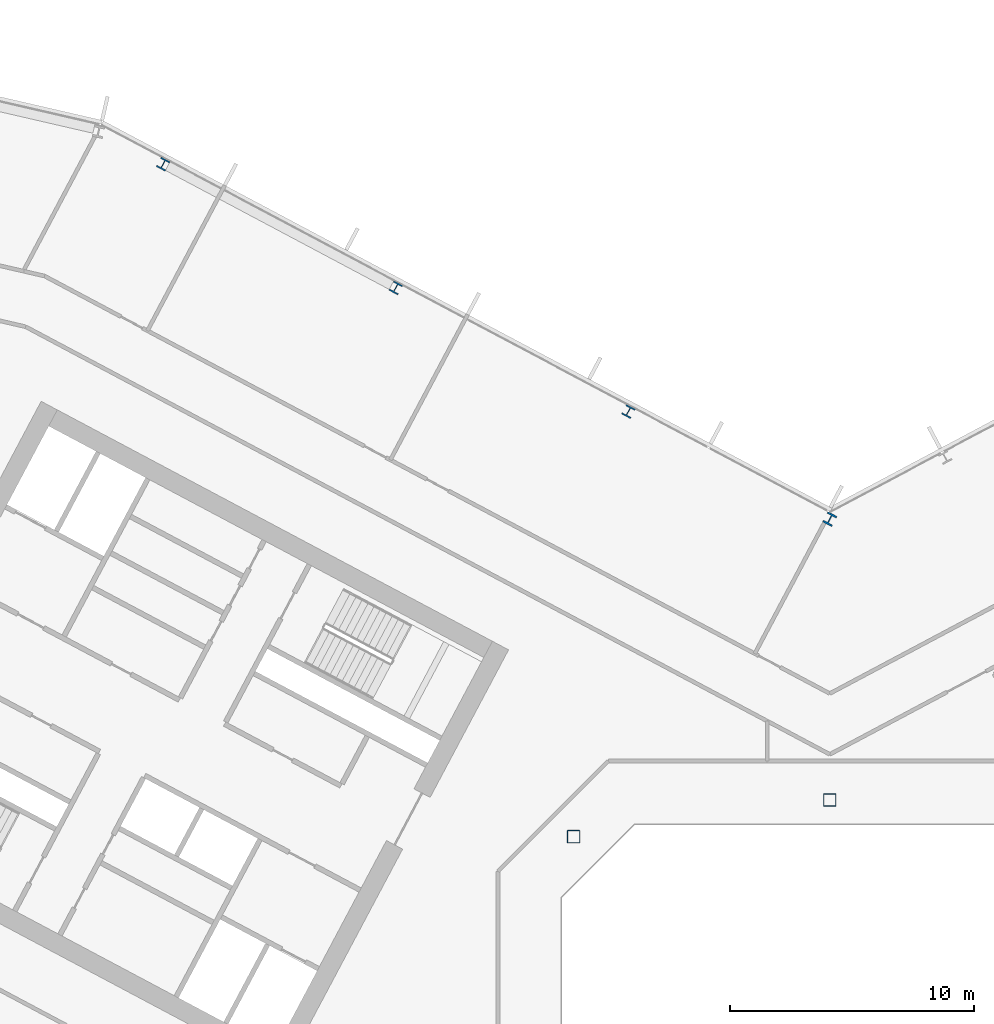
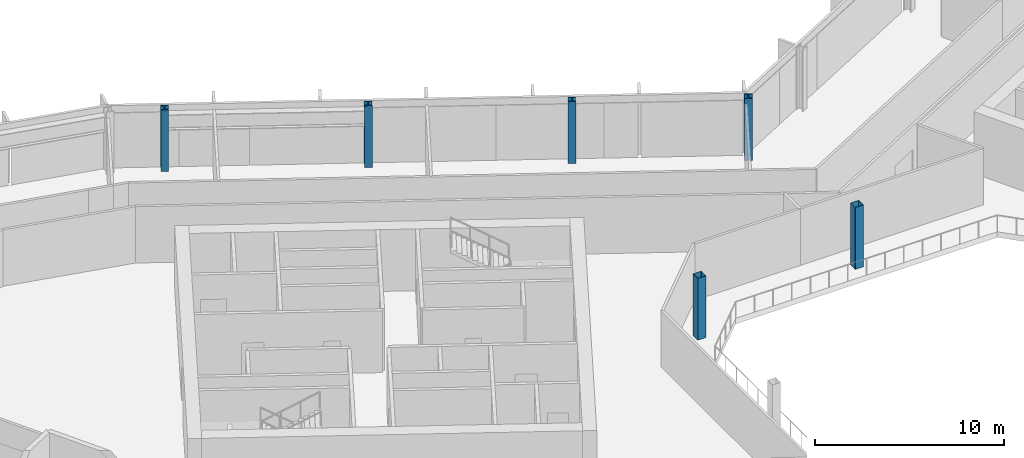
# One storey, part 4 of 28: 6 columns.
"""IFC4 building model written with IfcOpenShell, lengths in metres."""

import ifcopenshell
import ifcopenshell.guid

model = None  # the IFC model being written
_history = None  # IfcOwnerHistory: only IFC2X3 demands one
_inside = {}  # id of a spatial element -> (the spatial element, [elements in it])
_under = {}  # id of a project, library or spatial element -> (it, [spatial elements below it])
_declared = {}  # id of a project -> (the project, [libraries it declares])
_typed = {}  # id of a type object -> (the type object, [elements of that type])
_made_of = {}  # id of a material, layer set ... -> (it, [elements and type objects made of it])


def new_model(schema):
    """Start an empty IFC model of exactly this schema.

    Asked for "IFC4X3", IfcOpenShell would pick the latest addendum, in which some entities
    have other attributes; the version numbers below select the first issue.
    IFC2X3 requires an IfcOwnerHistory on every rooted entity: one is made here for all.
    """
    global model, _history
    if schema == "IFC4X3":
        model = ifcopenshell.file(schema_version=(4, 3, 0, 0))
    else:
        model = ifcopenshell.file(schema=schema)
    _inside.clear()
    _under.clear()
    _declared.clear()
    _typed.clear()
    _made_of.clear()
    _history = None
    if model.schema == "IFC2X3":
        org = make("IfcOrganization", Name="unknown")
        user = make(
            "IfcPersonAndOrganization",
            ThePerson=make("IfcPerson", FamilyName="unknown"),
            TheOrganization=org,
        )
        app = make(
            "IfcApplication",
            ApplicationDeveloper=org,
            Version="unknown",
            ApplicationFullName="unknown",
            ApplicationIdentifier="unknown",
        )
        _history = make(
            "IfcOwnerHistory",
            OwningUser=user,
            OwningApplication=app,
            ChangeAction="ADDED",
            CreationDate=0,
        )
    return model


def make(cls, **values):
    """One entity of the class cls with the attributes given. An attribute that is None is left unset."""
    return model.create_entity(
        cls, **{name: value for name, value in values.items() if value is not None}
    )


def rooted(cls, **values):
    """An entity with a GlobalId (a new one), such as an element, a storey or a relation."""
    return make(cls, GlobalId=ifcopenshell.guid.new(), OwnerHistory=_history, **values)


def si_unit(unit_type, name, prefix=None):
    """IfcSIUnit, for example si_unit("LENGTHUNIT", "METRE", prefix="MILLI")."""
    return make("IfcSIUnit", UnitType=unit_type, Prefix=prefix, Name=name)


def assignment(units):
    """IfcUnitAssignment: the units of a project."""
    return None if units is None else make("IfcUnitAssignment", Units=units)


def point(xyz):
    """IfcCartesianPoint."""
    return None if xyz is None else make("IfcCartesianPoint", Coordinates=xyz)


def direction(xyz):
    """IfcDirection."""
    return None if xyz is None else make("IfcDirection", DirectionRatios=xyz)


def frame(location, z_axis=None, x_axis=None):
    """IfcAxis2Placement3D, a coordinate frame: its origin and axes. An axis left out is left unset."""
    return make(
        "IfcAxis2Placement3D",
        Location=point(location),
        Axis=direction(z_axis),
        RefDirection=direction(x_axis),
    )


def frame_2d(location, x_axis=None):
    """IfcAxis2Placement2D, a coordinate frame in the plane: its origin and x axis."""
    return make(
        "IfcAxis2Placement2D", Location=point(location), RefDirection=direction(x_axis)
    )


def origin():
    """The frame at (0, 0, 0) with its axes left unset."""
    return frame((0.0, 0.0, 0.0))


def origin_2d():
    """The frame at (0, 0) in the plane with its x axis left unset."""
    return frame_2d((0.0, 0.0))


def place(relative_to, where):
    """IfcLocalPlacement: puts the frame where relative to a parent placement (None: the world)."""
    return make(
        "IfcLocalPlacement", PlacementRelTo=relative_to, RelativePlacement=where
    )


def context(
    kind, dimensions, precision=None, world=None, true_north=None, identifier=None
):
    """IfcGeometricRepresentationContext, for example the 3D "Model" context."""
    return make(
        "IfcGeometricRepresentationContext",
        ContextIdentifier=identifier,
        ContextType=kind,
        CoordinateSpaceDimension=dimensions,
        Precision=precision,
        WorldCoordinateSystem=world,
        TrueNorth=true_north,
    )


def subcontext(parent, identifier, kind, view, scale=None):
    """IfcGeometricRepresentationSubContext, for example "Body" below "Model"."""
    return make(
        "IfcGeometricRepresentationSubContext",
        ContextIdentifier=identifier,
        ContextType=kind,
        ParentContext=parent,
        TargetScale=scale,
        TargetView=view,
    )


def project(units=None, contexts=None):
    """IfcProject with its units and contexts."""
    return rooted(
        "IfcProject",
        Name="project",
        RepresentationContexts=contexts,
        UnitsInContext=assignment(units),
    )


def spatial(cls, under=None, at=None, **own):
    """A site, building, storey or space (cls), placed at a placement, below another one or the project."""
    s = rooted(cls, ObjectPlacement=at, **own)
    if under is not None:
        _under.setdefault(under.id(), (under, []))[1].append(s)
    return s


def profile(cls, at=None, kind="AREA", **sizes):
    """A parametric profile (cls). Its sizes go by their IFC names, for example OverallWidth=200.0."""
    return make(cls, ProfileType=kind, Position=at, **sizes)


def hollow_rectangle(**sizes):
    """IfcRectangleHollowProfileDef."""
    return profile("IfcRectangleHollowProfileDef", **sizes)


def i_section(**sizes):
    """IfcIShapeProfileDef."""
    return profile("IfcIShapeProfileDef", **sizes)


def extrude(swept, where, along, depth):
    """IfcExtrudedAreaSolid: the profile swept, set in the frame where, extruded along a direction by depth."""
    return make(
        "IfcExtrudedAreaSolid",
        SweptArea=swept,
        Position=where,
        ExtrudedDirection=direction(along),
        Depth=depth,
    )


def shape(context_of_items, identifier, shape_type, items):
    """IfcShapeRepresentation: the items that make up one representation, for example the "Body"."""
    return make(
        "IfcShapeRepresentation",
        ContextOfItems=context_of_items,
        RepresentationIdentifier=identifier,
        RepresentationType=shape_type,
        Items=items,
    )


def material(Name=None, Category=None):
    """IfcMaterial."""
    return make("IfcMaterial", Name=Name, Category=Category)


def material_profile(
    of_material, cross_section, Name=None, Category=None, Priority=None
):
    """IfcMaterialProfile: a cross section and its material."""
    return make(
        "IfcMaterialProfile",
        Name=Name,
        Material=of_material,
        Profile=cross_section,
        Priority=Priority,
        Category=Category,
    )


def profile_set(profiles, Name=None, composite=None):
    """IfcMaterialProfileSet."""
    return make(
        "IfcMaterialProfileSet",
        Name=Name,
        MaterialProfiles=profiles,
        CompositeProfile=composite,
    )


def made_of(thing, what):
    """Note that an element or type object is made of a material, layer set ...; save() writes the relation."""
    if what is not None:
        _made_of.setdefault(what.id(), (what, []))[1].append(thing)
    return thing


def type_object(cls, material=None, **own):
    """A type object (cls), such as IfcWallType, which elements share."""
    return made_of(rooted(cls, **own), material)


def element(
    cls,
    number,
    at=None,
    inside=None,
    cuts=None,
    type_object=None,
    material=None,
    context=None,
    identifier="Body",
    shape_type=None,
    held_by="IfcProductDefinitionShape",
    body=None,
    shapes=None,
    **own,
):
    """One element of the class cls, such as IfcWall. Its Tag is "e" and its number.

    at: its placement. inside: the storey or other place that contains it. cuts: it is an
    opening in that element (IfcRelVoidsElement). A single representation is given by context,
    identifier, shape_type and body (its items); several are given by shapes. held_by: the class
    of the entity that holds the representations. save() writes the other relations.
    """
    e = rooted(cls, Tag="e%d" % number, ObjectPlacement=at, **own)
    if body is not None:
        shapes = [shape(context, identifier, shape_type, body)]
    if shapes is not None:
        e.Representation = make(held_by, Representations=shapes)
    if inside is not None:
        _inside.setdefault(inside.id(), (inside, []))[1].append(e)
    if cuts is not None:
        rooted(
            "IfcRelVoidsElement", RelatingBuildingElement=cuts, RelatedOpeningElement=e
        )
    if type_object is not None:
        _typed.setdefault(type_object.id(), (type_object, []))[1].append(e)
    return made_of(e, material)


def aggregate(whole, parts):
    """IfcRelAggregates: a whole, such as a stair, and the parts it consists of."""
    return rooted("IfcRelAggregates", RelatingObject=whole, RelatedObjects=parts)


def save(model, path):
    """Write the relations noted so far, then the file.

    IfcRelAggregates (storeys below a building ...), IfcRelContainedInSpatialStructure (elements
    in a storey), IfcRelDefinesByType, IfcRelAssociatesMaterial and IfcRelDeclares: one each for
    every whole, place, type object, material and project.
    """
    for whole, parts in _under.values():
        aggregate(whole, parts)
    for where, things in _inside.values():
        rooted(
            "IfcRelContainedInSpatialStructure",
            RelatedElements=things,
            RelatingStructure=where,
        )
    for kind, things in _typed.values():
        rooted("IfcRelDefinesByType", RelatedObjects=things, RelatingType=kind)
    for what, things in _made_of.values():
        rooted("IfcRelAssociatesMaterial", RelatedObjects=things, RelatingMaterial=what)
    for by, libraries in _declared.values():
        rooted("IfcRelDeclares", RelatingContext=by, RelatedDefinitions=libraries)
    model.write(path)


model = new_model("IFC4")

# Units and contexts
model_context = context("Model", 3, precision=1e-05, world=origin(), true_north=direction((0.0, 1.0)))
body_context = subcontext(model_context, "Body", "Model", "MODEL_VIEW")
ifc_project = project(units=[si_unit("LENGTHUNIT", "METRE"), si_unit("AREAUNIT", "SQUARE_METRE"), si_unit("VOLUMEUNIT", "CUBIC_METRE"), si_unit("PLANEANGLEUNIT", "RADIAN"), si_unit("MASSUNIT", "GRAM", prefix="KILO")], contexts=[model_context])

# Site, building, storey
site_placement = place(None, origin())
site = spatial("IfcSite", under=ifc_project, at=site_placement, CompositionType="ELEMENT")
building_placement = place(site_placement, origin())
building = spatial("IfcBuilding", under=site, at=building_placement, Name="Cormorant Relay Tower", CompositionType="ELEMENT")
storey_placement = place(building_placement, frame((0.0, 0.0, 154.199951171875)))
storey = spatial("IfcBuildingStorey", under=building, at=storey_placement, Name="L32", CompositionType="ELEMENT", Elevation=154.199951171875)

# Columns
ifc_material_1 = material(Name="Steel ASTM A500 Grade C (Fy 345 MPa)", Category="steel")
ifc_material_profile_1 = material_profile(ifc_material_1, hollow_rectangle(XDim=0.508056640625, YDim=0.508056640625, WallThickness=0.01171875, InnerFilletRadius=0.005859375, OuterFilletRadius=0.017822265625, at=origin_2d()), Name="HSS508x508x12")
ifc_profile_set_1 = profile_set([ifc_material_profile_1], Name="Steel ASTM A500 Grade C (Fy 345 MPa)")
column_type_1 = type_object("IfcColumnType", Name="Column HSS508x508x12", PredefinedType="COLUMN", material=ifc_profile_set_1)
for number, where, z_axis, x_axis, name in (
    (1, (-10.5, 10.5, 0.0), (0.0, 0.0, 1.0), (1.0, 0.0, 0.0), "Column L32-023"),
    (2, (0.0, 12.0, 0.0), (0.0, 0.0, 1.0), (1.0, 0.0, 0.0), "Column L32-025"),
):
    element("IfcColumn", number, at=place(storey_placement, frame(where, z_axis=z_axis, x_axis=x_axis)), inside=storey, type_object=column_type_1, Name=name, PredefinedType="COLUMN", context=body_context, shape_type="SweptSolid", body=[
        extrude(hollow_rectangle(XDim=0.508056640625, YDim=0.508056640625, WallThickness=0.01171875, InnerFilletRadius=0.005859375, OuterFilletRadius=0.017822265625, at=origin_2d()), origin(), (0.0, 0.0, 1.0), 4.0),
    ])
ifc_material_2 = material(Name="Steel ASTM A992 (Fy 345 MPa)", Category="steel")
ifc_material_profile_2 = material_profile(ifc_material_2, i_section(OverallWidth=0.41162109375, OverallDepth=0.434326171875, WebThickness=0.035888671875, FlangeThickness=0.057373046875, FilletRadius=0.01513671875, at=origin_2d()), Name="W360x463")
ifc_profile_set_2 = profile_set([ifc_material_profile_2], Name="Steel ASTM A992 (Fy 345 MPa)")
column_type_2 = type_object("IfcColumnType", Name="Column W360x463", PredefinedType="COLUMN", material=ifc_profile_set_2)
for number, where, z_axis, x_axis, name in (
    (3, (-8.257080078125, 27.925048828125, 0.0), (0.0, 0.0, 1.0), (-0.882947592859, 0.469471562786, 0.0), "Column L32-036"),
    (4, (-17.7919921875, 32.9951171875, 0.0), (0.0, 0.0, 1.0), (-0.882947592859, 0.469471562786, 0.0), "Column L32-040"),
    (5, (-27.327880859375, 38.06494140625, 0.0), (0.0, 0.0, 1.0), (-0.882947592859, 0.469471562786, 0.0), "Column L32-044"),
):
    element("IfcColumn", number, at=place(storey_placement, frame(where, z_axis=z_axis, x_axis=x_axis)), inside=storey, type_object=column_type_2, Name=name, PredefinedType="COLUMN", context=body_context, shape_type="SweptSolid", body=[
        extrude(i_section(OverallWidth=0.41162109375, OverallDepth=0.434326171875, WebThickness=0.035888671875, FlangeThickness=0.057373046875, FilletRadius=0.01513671875, at=origin_2d()), origin(), (0.0, 0.0, 1.0), 4.0),
    ])
ifc_material_3 = material(Name="Steel ASTM A992 (Fy 345 MPa)", Category="steel")
ifc_material_profile_3 = material_profile(ifc_material_3, i_section(OverallWidth=0.42431640625, OverallDepth=0.47509765625, WebThickness=0.0478515625, FlangeThickness=0.0771484375, FilletRadius=0.014892578125, at=origin_2d()), Name="W360x634")
ifc_profile_set_3 = profile_set([ifc_material_profile_3], Name="Steel ASTM A992 (Fy 345 MPa)")
column_type_3 = type_object("IfcColumnType", Name="Column W360x634", PredefinedType="COLUMN", material=ifc_profile_set_3)
column_placement = place(storey_placement, frame((0.0, 23.513916015625, 0.0), z_axis=(0.0, 0.0, 1.0), x_axis=(-0.882947592859, 0.469471562786, 0.0)))
element("IfcColumn", 6, at=column_placement, inside=storey, type_object=column_type_3, Name="Column L32-032", PredefinedType="COLUMN", context=body_context, shape_type="SweptSolid", body=[
    extrude(i_section(OverallWidth=0.42431640625, OverallDepth=0.47509765625, WebThickness=0.0478515625, FlangeThickness=0.0771484375, FilletRadius=0.014892578125, at=origin_2d()), origin(), (0.0, 0.0, 1.0), 4.0),
])

save(model, "model.ifc")
